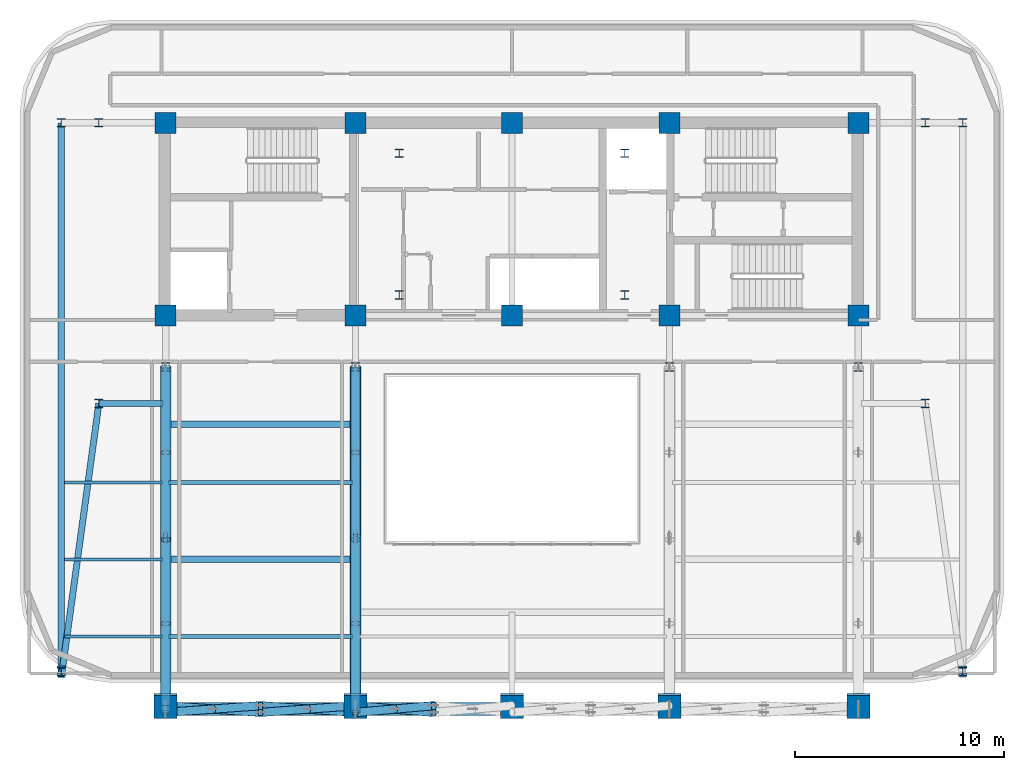
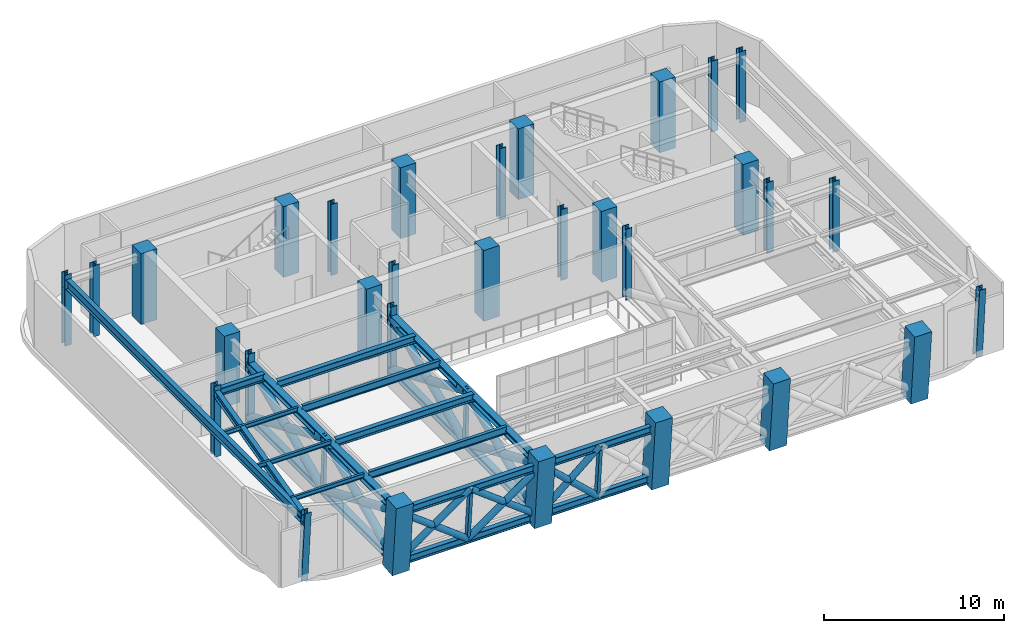
# One storey, part 1 of 12: 33 members, 31 columns, 10 beams.
"""IFC4 building model written with IfcOpenShell, lengths in metres."""

from ifc_helpers import new_model, si_unit, direction, frame, origin, origin_2d, place, context, subcontext, project, spatial, rectangle, hollow_rectangle, hollow_circle, i_section, extrude, material, material_profile, profile_set, type_object, element, save


model = new_model("IFC4")

# Units and contexts
model_context = context("Model", 3, precision=1e-05, world=origin(), true_north=direction((0.0, 1.0)))
body_context = subcontext(model_context, "Body", "Model", "MODEL_VIEW")
ifc_project = project(units=[si_unit("LENGTHUNIT", "METRE"), si_unit("AREAUNIT", "SQUARE_METRE"), si_unit("VOLUMEUNIT", "CUBIC_METRE"), si_unit("PLANEANGLEUNIT", "RADIAN"), si_unit("MASSUNIT", "GRAM", prefix="KILO")], contexts=[model_context])

# Site, building, storey
site_placement = place(None, origin())
site = spatial("IfcSite", under=ifc_project, at=site_placement, CompositionType="ELEMENT")
building_placement = place(site_placement, origin())
building = spatial("IfcBuilding", under=site, at=building_placement, Name="Zarnavel Station Tower", CompositionType="ELEMENT")
storey_placement = place(building_placement, frame((0.0, 0.0, 188.39990234375)))
storey = spatial("IfcBuildingStorey", under=building, at=storey_placement, Name="L51", CompositionType="ELEMENT", Elevation=188.39990234375)

# Columns
ifc_material_1 = material(Name="Steel S355J2", Category="steel")
ifc_material_profile_1 = material_profile(ifc_material_1, i_section(OverallWidth=0.4130859375, OverallDepth=0.4150390625, WebThickness=0.030029296875, FlangeThickness=0.047119140625, FilletRadius=0.014892578125, at=origin_2d()), Name="HD400x347")
ifc_profile_set_1 = profile_set([ifc_material_profile_1], Name="Steel S355J2")
column_type_1 = type_object("IfcColumnType", Name="EC_HD347", PredefinedType="COLUMN", material=ifc_profile_set_1)
column_1_placement = place(storey_placement, frame((7.199951171875, 10.82421875, 0.0), z_axis=(0.0, -0.079902397774, 0.996802692026), x_axis=(1.0, 0.0, 0.0)))
element("IfcColumn", 1, at=column_1_placement, inside=storey, type_object=column_type_1, Name="L51 Raked Wing Column 1", PredefinedType="COLUMN", context=body_context, shape_type="SweptSolid", body=[
    extrude(i_section(OverallWidth=0.4130859375, OverallDepth=0.4150390625, WebThickness=0.030029296875, FlangeThickness=0.047119140625, FilletRadius=0.014892578125, at=origin_2d()), origin(), (0.0, 0.0, 1.0), 4.8154296875),
])
column_2_placement = place(storey_placement, frame((7.199951171875, 37.050048828125, 0.0), z_axis=(0.0, 0.0, 1.0), x_axis=(1.0, 0.0, 0.0)))
element("IfcColumn", 2, at=column_2_placement, inside=storey, type_object=column_type_1, Name="L51 Outer Wing North Column 1", PredefinedType="COLUMN", context=body_context, shape_type="SweptSolid", body=[
    extrude(i_section(OverallWidth=0.4130859375, OverallDepth=0.4150390625, WebThickness=0.030029296875, FlangeThickness=0.047119140625, FilletRadius=0.014892578125, at=origin_2d()), origin(), (0.0, 0.0, 1.0), 4.800048828125),
])
column_3_placement = place(storey_placement, frame((50.39990234375, 10.82421875, 0.0), z_axis=(0.0, -0.079902397774, 0.996802692026), x_axis=(1.0, 0.0, 0.0)))
element("IfcColumn", 3, at=column_3_placement, inside=storey, type_object=column_type_1, Name="L51 Raked Wing Column 2", PredefinedType="COLUMN", context=body_context, shape_type="SweptSolid", body=[
    extrude(i_section(OverallWidth=0.4130859375, OverallDepth=0.4150390625, WebThickness=0.030029296875, FlangeThickness=0.047119140625, FilletRadius=0.014892578125, at=origin_2d()), origin(), (0.0, 0.0, 1.0), 4.8154296875),
])
column_4_placement = place(storey_placement, frame((50.39990234375, 37.050048828125, 0.0), z_axis=(0.0, 0.0, 1.0), x_axis=(1.0, 0.0, 0.0)))
element("IfcColumn", 4, at=column_4_placement, inside=storey, type_object=column_type_1, Name="L51 Outer Wing North Column 2", PredefinedType="COLUMN", context=body_context, shape_type="SweptSolid", body=[
    extrude(i_section(OverallWidth=0.4130859375, OverallDepth=0.4150390625, WebThickness=0.030029296875, FlangeThickness=0.047119140625, FilletRadius=0.014892578125, at=origin_2d()), origin(), (0.0, 0.0, 1.0), 4.800048828125),
])
ifc_material_2 = material(Name="Steel S355J2", Category="steel")
ifc_material_profile_2 = material_profile(ifc_material_2, i_section(OverallWidth=0.4130859375, OverallDepth=0.4150390625, WebThickness=0.030029296875, FlangeThickness=0.047119140625, FilletRadius=0.014892578125, at=origin_2d()), Name="HD400x347")
ifc_profile_set_2 = profile_set([ifc_material_profile_2], Name="Steel S355J2")
column_type_2 = type_object("IfcColumnType", Name="IC_HD347", PredefinedType="COLUMN", material=ifc_profile_set_2)
for number, where, z_axis, x_axis, name in (
    (5, (23.39990234375, 28.800048828125, 0.0), (0.0, 0.0, 1.0), (1.0, 0.0, 0.0), "L51 Mast Spine Column 1"),
    (6, (34.199951171875, 28.800048828125, 0.0), (0.0, 0.0, 1.0), (1.0, 0.0, 0.0), "L51 Mast Spine Column 2"),
    (7, (34.199951171875, 35.60009765625, 0.0), (0.0, 0.0, 1.0), (1.0, 0.0, 0.0), "L51 Mast Spine Column 3"),
    (8, (23.39990234375, 35.60009765625, 0.0), (0.0, 0.0, 1.0), (1.0, 0.0, 0.0), "L51 Mast Spine Column 4"),
    (9, (12.199951171875, 25.35009765625, 0.0), (0.0, 0.0, 1.0), (1.0, 0.0, 0.0), "L51 Inner Spine Column 1"),
    (10, (21.300048828125, 25.35009765625, 0.0), (0.0, 0.0, 1.0), (1.0, 0.0, 0.0), "L51 Inner Spine Column 2"),
    (11, (36.35009765625, 25.35009765625, 0.0), (0.0, 0.0, 1.0), (1.0, 0.0, 0.0), "L51 Inner Spine Column 4"),
    (12, (45.39990234375, 25.35009765625, 0.0), (0.0, 0.0, 1.0), (1.0, 0.0, 0.0), "L51 Inner Spine Column 5"),
    (13, (9.0, 23.60009765625, 0.0), (0.0, 0.0, 1.0), (1.0, 0.0, 0.0), "L51 Inner Wing Spine Column 1-1"),
    (14, (9.0, 37.050048828125, 0.0), (0.0, 0.0, 1.0), (1.0, 0.0, 0.0), "L51 Inner Wing Spine Column 1-2"),
    (15, (48.60009765625, 23.60009765625, 0.0), (0.0, 0.0, 1.0), (1.0, 0.0, 0.0), "L51 Inner Wing Spine Column 2-1"),
    (16, (48.60009765625, 37.050048828125, 0.0), (0.0, 0.0, 1.0), (1.0, 0.0, 0.0), "L51 Inner Wing Spine Column 2-2"),
):
    element("IfcColumn", number, at=place(storey_placement, frame(where, z_axis=z_axis, x_axis=x_axis)), inside=storey, type_object=column_type_2, Name=name, PredefinedType="COLUMN", context=body_context, shape_type="SweptSolid", body=[
        extrude(i_section(OverallWidth=0.4130859375, OverallDepth=0.4150390625, WebThickness=0.030029296875, FlangeThickness=0.047119140625, FilletRadius=0.014892578125, at=origin_2d()), origin(), (0.0, 0.0, 1.0), 4.800048828125),
    ])
ifc_material_3 = material(Name="Concrete C50/60", Category="concrete")
ifc_material_profile_3 = material_profile(ifc_material_3, rectangle(XDim=1.0, YDim=1.0, at=origin_2d()), Name="RC1000x1000")
ifc_profile_set_3 = profile_set([ifc_material_profile_3], Name="Concrete C50/60")
column_type_3 = type_object("IfcColumnType", Name="IC_RC1000", PredefinedType="COLUMN", material=ifc_profile_set_3)
for number, where, z_axis, x_axis, name in (
    (17, (12.199951171875, 27.820068359375, 0.0), (0.0, 0.0, 1.0), (1.0, 0.0, 0.0), "L51 Core Spine Column 1-1"),
    (18, (12.199951171875, 37.050048828125, 0.0), (0.0, 0.0, 1.0), (1.0, 0.0, 0.0), "L51 Core Spine Column 1-2"),
    (19, (21.300048828125, 27.820068359375, 0.0), (0.0, 0.0, 1.0), (1.0, 0.0, 0.0), "L51 Core Spine Column 2-1"),
    (20, (21.300048828125, 37.050048828125, 0.0), (0.0, 0.0, 1.0), (1.0, 0.0, 0.0), "L51 Core Spine Column 2-2"),
    (21, (28.800048828125, 27.820068359375, 0.0), (0.0, 0.0, 1.0), (1.0, 0.0, 0.0), "L51 Core Spine Column 3-1"),
    (22, (28.800048828125, 37.050048828125, 0.0), (0.0, 0.0, 1.0), (1.0, 0.0, 0.0), "L51 Core Spine Column 3-2"),
    (23, (36.35009765625, 27.820068359375, 0.0), (0.0, 0.0, 1.0), (1.0, 0.0, 0.0), "L51 Core Spine Column 4-1"),
    (24, (36.35009765625, 37.050048828125, 0.0), (0.0, 0.0, 1.0), (1.0, 0.0, 0.0), "L51 Core Spine Column 4-2"),
    (25, (45.39990234375, 27.820068359375, 0.0), (0.0, 0.0, 1.0), (1.0, 0.0, 0.0), "L51 Core Spine Column 5-1"),
    (26, (45.39990234375, 37.050048828125, 0.0), (0.0, 0.0, 1.0), (1.0, 0.0, 0.0), "L51 Core Spine Column 5-2"),
):
    element("IfcColumn", number, at=place(storey_placement, frame(where, z_axis=z_axis, x_axis=x_axis)), inside=storey, type_object=column_type_3, Name=name, PredefinedType="COLUMN", context=body_context, shape_type="SweptSolid", body=[
        extrude(rectangle(XDim=1.0, YDim=1.0, at=origin_2d()), origin(), (0.0, 0.0, 1.0), 4.800048828125),
    ])
ifc_material_4 = material(Name="Concrete C50/60", Category="concrete")
ifc_material_profile_4 = material_profile(ifc_material_4, rectangle(XDim=1.10009765625, YDim=1.10009765625, at=origin_2d()), Name="RC1100x1100")
ifc_profile_set_4 = profile_set([ifc_material_profile_4], Name="Concrete C50/60")
column_type_4 = type_object("IfcColumnType", Name="MC_RC1100", PredefinedType="COLUMN", material=ifc_profile_set_4)
for number, where, z_axis, x_axis, name in (
    (27, (12.199951171875, 9.1552734375, 0.0), (0.0, -0.09026627752, 0.995917666849), (1.0, 0.0, 0.0), "L51 Raked South Mega-Column 1"),
    (28, (21.300048828125, 9.1552734375, 0.0), (0.0, -0.09026627752, 0.995917666849), (1.0, 0.0, 0.0), "L51 Raked South Mega-Column 2"),
    (29, (28.800048828125, 9.1552734375, 0.0), (0.0, -0.09026627752, 0.995917666849), (1.0, 0.0, 0.0), "L51 Raked South Mega-Column 3"),
    (30, (36.35009765625, 9.1552734375, 0.0), (0.0, -0.09026627752, 0.995917666849), (1.0, 0.0, 0.0), "L51 Raked South Mega-Column 4"),
    (31, (45.39990234375, 9.1552734375, 0.0), (0.0, -0.09026627752, 0.995917666849), (1.0, 0.0, 0.0), "L51 Raked South Mega-Column 5"),
):
    element("IfcColumn", number, at=place(storey_placement, frame(where, z_axis=z_axis, x_axis=x_axis)), inside=storey, type_object=column_type_4, Name=name, PredefinedType="COLUMN", context=body_context, shape_type="SweptSolid", body=[
        extrude(rectangle(XDim=1.10009765625, YDim=1.10009765625, at=origin_2d()), origin(), (0.0, 0.0, 1.0), 4.81982421875),
    ])

# Members
ifc_material_5 = material(Name="Steel S460M", Category="steel")
ifc_material_profile_5 = material_profile(ifc_material_5, i_section(OverallWidth=0.300048828125, OverallDepth=0.5, WebThickness=0.014404296875, FlangeThickness=0.028076171875, FilletRadius=0.027099609375, at=origin_2d()), Name="HEB500")
ifc_profile_set_5 = profile_set([ifc_material_profile_5], Name="Steel S460M")
member_type_1 = type_object("IfcMemberType", Name="BT_CHORD_HEB500", PredefinedType="CHORD", material=ifc_profile_set_5)
for number, where, z_axis, x_axis, name in (
    (32, (12.199951171875, 9.118896484375, 0.400146484375), (1.0, 0.0, 0.0), (0.0, 1.0, 0.0), "L51 Perimeter Belt Truss Bottom Chord 1"),
    (33, (12.199951171875, 8.79443359375, 3.97998046875), (1.0, 0.0, 0.0), (0.0, 1.0, 0.0), "L51 Perimeter Belt Truss Top Chord 1"),
):
    element("IfcMember", number, at=place(storey_placement, frame(where, z_axis=z_axis, x_axis=x_axis)), inside=storey, type_object=member_type_1, Name=name, PredefinedType="CHORD", context=body_context, shape_type="SweptSolid", body=[
        extrude(i_section(OverallWidth=0.300048828125, OverallDepth=0.5, WebThickness=0.014404296875, FlangeThickness=0.028076171875, FilletRadius=0.027099609375, at=origin_2d()), origin(), (0.0, 0.0, 1.0), 9.10009765625),
    ])
for number, where, z_axis, x_axis, name in (
    (34, (21.300048828125, 9.118896484375, 0.400146484375), (1.0, 0.0, 0.0), (0.0, 1.0, 0.0), "L51 Perimeter Belt Truss Bottom Chord 2"),
    (35, (21.300048828125, 8.79443359375, 3.97998046875), (1.0, 0.0, 0.0), (0.0, 1.0, 0.0), "L51 Perimeter Belt Truss Top Chord 2"),
):
    element("IfcMember", number, at=place(storey_placement, frame(where, z_axis=z_axis, x_axis=x_axis)), inside=storey, type_object=member_type_1, Name=name, PredefinedType="CHORD", context=body_context, shape_type="SweptSolid", body=[
        extrude(i_section(OverallWidth=0.300048828125, OverallDepth=0.5, WebThickness=0.014404296875, FlangeThickness=0.028076171875, FilletRadius=0.027099609375, at=origin_2d()), origin(), (0.0, 0.0, 1.0), 7.5),
    ])
ifc_material_6 = material(Name="Steel S460M", Category="steel")
ifc_material_profile_6 = material_profile(ifc_material_6, hollow_circle(Radius=0.203125, WallThickness=0.01611328125, at=origin_2d()), Name="CHS406.4x16")
ifc_profile_set_6 = profile_set([ifc_material_profile_6], Name="Steel S460M")
member_type_2 = type_object("IfcMemberType", Name="BT_DIAG_CHS406", PredefinedType="BRACE", material=ifc_profile_set_6)
member_1_placement = place(storey_placement, frame((12.199951171875, 9.118896484375, 0.400146484375), z_axis=(0.784684434719, -0.055955658837, 0.617364804758), x_axis=(0.071129140727, 0.997467114916, 0.0)))
element("IfcMember", 36, at=member_1_placement, inside=storey, type_object=member_type_2, Name="L51 Belt Truss Continuous Diagonal A1 1", PredefinedType="BRACE", context=body_context, shape_type="SweptSolid", body=[
    extrude(hollow_circle(Radius=0.203125, WallThickness=0.01611328125, at=origin_2d()), origin(), (0.0, 0.0, 1.0), 5.798583984375),
])
member_2_placement = place(storey_placement, frame((16.75, 9.118896484375, 0.400146484375), z_axis=(-0.784649705334, -0.055914080741, 0.61741271083), x_axis=(0.071079685039, -0.997470640357, 0.0)))
element("IfcMember", 37, at=member_2_placement, inside=storey, type_object=member_type_2, Name="L51 Belt Truss Split Diagonal B1 Lower 1", PredefinedType="BRACE", context=body_context, shape_type="SweptSolid", body=[
    extrude(hollow_circle(Radius=0.203125, WallThickness=0.01611328125, at=origin_2d()), origin(), (0.0, 0.0, 1.0), 2.899169921875),
])
member_3_placement = place(storey_placement, frame((14.47509765625, 8.956787109375, 2.190185546875), z_axis=(-0.784719159347, -0.055997235859, 0.617316896359), x_axis=(0.071178590583, -0.997463587427, 0.0)))
element("IfcMember", 38, at=member_3_placement, inside=storey, type_object=member_type_2, Name="L51 Belt Truss Split Diagonal B1 Upper 1", PredefinedType="BRACE", context=body_context, shape_type="SweptSolid", body=[
    extrude(hollow_circle(Radius=0.203125, WallThickness=0.01611328125, at=origin_2d()), origin(), (0.0, 0.0, 1.0), 2.8994140625),
])
member_4_placement = place(storey_placement, frame((16.75, 9.118896484375, 0.400146484375), z_axis=(0.784684434719, -0.055955658837, 0.617364804758), x_axis=(0.071129140727, 0.997467114916, 0.0)))
element("IfcMember", 39, at=member_4_placement, inside=storey, type_object=member_type_2, Name="L51 Belt Truss Continuous Diagonal A2 1", PredefinedType="BRACE", context=body_context, shape_type="SweptSolid", body=[
    extrude(hollow_circle(Radius=0.203125, WallThickness=0.01611328125, at=origin_2d()), origin(), (0.0, 0.0, 1.0), 5.798583984375),
])
member_5_placement = place(storey_placement, frame((21.300048828125, 9.118896484375, 0.400146484375), z_axis=(-0.784682065335, -0.055910386456, 0.617371917913), x_axis=(0.071072096175, -0.99747118111, 0.0)))
element("IfcMember", 40, at=member_5_placement, inside=storey, type_object=member_type_2, Name="L51 Belt Truss Split Diagonal B2 Lower 1", PredefinedType="BRACE", context=body_context, shape_type="SweptSolid", body=[
    extrude(hollow_circle(Radius=0.203125, WallThickness=0.01611328125, at=origin_2d()), origin(), (0.0, 0.0, 1.0), 2.8994140625),
])
member_6_placement = place(storey_placement, frame((19.02490234375, 8.956787109375, 2.190185546875), z_axis=(-0.784686802718, -0.056000936232, 0.617357689497), x_axis=(0.071186190702, -0.997463045056, 0.0)))
element("IfcMember", 41, at=member_6_placement, inside=storey, type_object=member_type_2, Name="L51 Belt Truss Split Diagonal B2 Upper 1", PredefinedType="BRACE", context=body_context, shape_type="SweptSolid", body=[
    extrude(hollow_circle(Radius=0.203125, WallThickness=0.01611328125, at=origin_2d()), origin(), (0.0, 0.0, 1.0), 2.899169921875),
])
member_7_placement = place(storey_placement, frame((21.300048828125, 9.118896484375, 0.400146484375), z_axis=(0.721915308761, -0.062462594098, 0.689156521638), x_axis=(0.086201374242, 0.996277733907, 0.0)))
element("IfcMember", 42, at=member_7_placement, inside=storey, type_object=member_type_2, Name="L51 Belt Truss Continuous Diagonal A1 2", PredefinedType="BRACE", context=body_context, shape_type="SweptSolid", body=[
    extrude(hollow_circle(Radius=0.203125, WallThickness=0.01611328125, at=origin_2d()), origin(), (0.0, 0.0, 1.0), 5.194580078125),
])
member_8_placement = place(storey_placement, frame((25.050048828125, 9.118896484375, 0.400146484375), z_axis=(-0.721894044506, -0.062413755931, 0.689183220615), x_axis=(0.086136993838, -0.996283302225, 0.0)))
element("IfcMember", 43, at=member_8_placement, inside=storey, type_object=member_type_2, Name="L51 Belt Truss Split Diagonal B1 Lower 2", PredefinedType="BRACE", context=body_context, shape_type="SweptSolid", body=[
    extrude(hollow_circle(Radius=0.203125, WallThickness=0.01611328125, at=origin_2d()), origin(), (0.0, 0.0, 1.0), 2.597412109375),
])
member_9_placement = place(storey_placement, frame((23.175048828125, 8.956787109375, 2.190185546875), z_axis=(-0.721936571704, -0.06251143492, 0.689129818641), x_axis=(0.086265753567, -0.996272161491, 0.0)))
element("IfcMember", 44, at=member_9_placement, inside=storey, type_object=member_type_2, Name="L51 Belt Truss Split Diagonal B1 Upper 2", PredefinedType="BRACE", context=body_context, shape_type="SweptSolid", body=[
    extrude(hollow_circle(Radius=0.203125, WallThickness=0.01611328125, at=origin_2d()), origin(), (0.0, 0.0, 1.0), 2.59716796875),
])
ifc_material_7 = material(Name="Steel S460M", Category="steel")
ifc_material_profile_7 = material_profile(ifc_material_7, hollow_rectangle(XDim=0.199951171875, YDim=0.300048828125, WallThickness=0.012451171875, at=origin_2d()), Name="RHS300x200x12.5")
ifc_profile_set_7 = profile_set([ifc_material_profile_7], Name="Steel S460M")
member_type_3 = type_object("IfcMemberType", Name="BT_POST_RHS300", PredefinedType="POST", material=ifc_profile_set_7)
for number, where, z_axis, x_axis, name in (
    (45, (12.199951171875, 17.234619140625, 0.400146484375), (0.0, -0.045305678131, 0.998973170575), (1.0, 0.0, 0.0), "L51 Outrigger Mid-Span Post 1"),
    (46, (21.300048828125, 17.234619140625, 0.400146484375), (0.0, -0.045305678131, 0.998973170575), (1.0, 0.0, 0.0), "L51 Outrigger Mid-Span Post 2"),
):
    element("IfcMember", number, at=place(storey_placement, frame(where, z_axis=z_axis, x_axis=x_axis)), inside=storey, type_object=member_type_3, Name=name, PredefinedType="POST", context=body_context, shape_type="SweptSolid", body=[
        extrude(hollow_rectangle(XDim=0.199951171875, YDim=0.300048828125, WallThickness=0.012451171875, at=origin_2d()), origin(), (0.0, 0.0, 1.0), 3.58349609375),
    ])
for number, where, z_axis, x_axis, name in (
    (47, (16.75, 9.118896484375, 0.400146484375), (0.0, -0.0902662878, 0.995917665918), (1.0, 0.0, 0.0), "L51 Belt Truss Mid-Bay Post 1"),
    (48, (25.050048828125, 9.118896484375, 0.400146484375), (0.0, -0.0902662878, 0.995917665918), (1.0, 0.0, 0.0), "L51 Belt Truss Mid-Bay Post 2"),
):
    element("IfcMember", number, at=place(storey_placement, frame(where, z_axis=z_axis, x_axis=x_axis)), inside=storey, type_object=member_type_3, Name=name, PredefinedType="POST", context=body_context, shape_type="SweptSolid", body=[
        extrude(hollow_rectangle(XDim=0.199951171875, YDim=0.300048828125, WallThickness=0.012451171875, at=origin_2d()), origin(), (0.0, 0.0, 1.0), 3.594482421875),
    ])

# Beams
ifc_material_8 = material(Name="Steel S355J2", Category="steel")
ifc_material_profile_8 = material_profile(ifc_material_8, i_section(OverallWidth=0.300048828125, OverallDepth=0.489990234375, WebThickness=0.011962890625, FlangeThickness=0.02294921875, FilletRadius=0.027099609375, at=origin_2d()), Name="HEA500")
ifc_profile_set_8 = profile_set([ifc_material_profile_8], Name="Steel S355J2")
beam_type_1 = type_object("IfcBeamType", Name="FB_HEA500", PredefinedType="BEAM", material=ifc_profile_set_8)
for number, where, z_axis, x_axis, name in (
    (49, (12.344970703125, 16.12939453125, 4.235107421875), (1.0, 0.0, 0.0), (0.0, 1.0, 0.0), "L51 West Bay Beam 2"),
    (50, (12.344970703125, 22.60986328125, 4.235107421875), (1.0, 0.0, 0.0), (0.0, 1.0, 0.0), "L51 West Bay Beam 4"),
):
    element("IfcBeam", number, at=place(storey_placement, frame(where, z_axis=z_axis, x_axis=x_axis)), inside=storey, type_object=beam_type_1, Name=name, PredefinedType="BEAM", context=body_context, shape_type="SweptSolid", body=[
        extrude(i_section(OverallWidth=0.300048828125, OverallDepth=0.489990234375, WebThickness=0.011962890625, FlangeThickness=0.02294921875, FilletRadius=0.027099609375, at=origin_2d()), origin(), (0.0, 0.0, 1.0), 8.81005859375),
    ])
ifc_material_9 = material(Name="Steel S355J2", Category="steel")
ifc_material_profile_9 = material_profile(ifc_material_9, i_section(OverallWidth=0.199951171875, OverallDepth=0.5, WebThickness=0.01025390625, FlangeThickness=0.01611328125, FilletRadius=0.02099609375, at=origin_2d()), Name="IPE500")
ifc_profile_set_9 = profile_set([ifc_material_profile_9], Name="Steel S355J2")
beam_type_2 = type_object("IfcBeamType", Name="FB_IPE500", PredefinedType="BEAM", material=ifc_profile_set_9)
for number, where, z_axis, x_axis, name in (
    (51, (12.344970703125, 12.439453125, 4.22998046875), (1.0, 0.0, 0.0), (0.0, 1.0, 0.0), "L51 West Bay Beam 1"),
    (52, (12.344970703125, 19.819580078125, 4.22998046875), (1.0, 0.0, 0.0), (0.0, 1.0, 0.0), "L51 West Bay Beam 3"),
):
    element("IfcBeam", number, at=place(storey_placement, frame(where, z_axis=z_axis, x_axis=x_axis)), inside=storey, type_object=beam_type_2, Name=name, PredefinedType="BEAM", context=body_context, shape_type="SweptSolid", body=[
        extrude(i_section(OverallWidth=0.199951171875, OverallDepth=0.5, WebThickness=0.01025390625, FlangeThickness=0.01611328125, FilletRadius=0.02099609375, at=origin_2d()), origin(), (0.0, 0.0, 1.0), 8.81005859375),
    ])
ifc_material_10 = material(Name="Steel S355J2", Category="steel")
ifc_material_profile_10 = material_profile(ifc_material_10, i_section(OverallWidth=0.300048828125, OverallDepth=0.5, WebThickness=0.014404296875, FlangeThickness=0.028076171875, FilletRadius=0.027099609375, at=origin_2d()), Name="HEB500")
ifc_profile_set_10 = profile_set([ifc_material_profile_10], Name="Steel S355J2")
beam_type_3 = type_object("IfcBeamType", Name="FG_HEB500", PredefinedType="USERDEFINED", material=ifc_profile_set_10)
beam_1_placement = place(storey_placement, frame((7.199951171875, 10.465087890625, 4.22998046875), z_axis=(0.135773048199, 0.990739965573, 0.0), x_axis=(-0.990739965573, 0.135773048199, 0.0)))
element("IfcBeam", 53, at=beam_1_placement, inside=storey, type_object=beam_type_3, Name="L51 West Wing South Tie 1", ObjectType="GIRDER", PredefinedType="USERDEFINED", context=body_context, shape_type="SweptSolid", body=[
    extrude(i_section(OverallWidth=0.300048828125, OverallDepth=0.5, WebThickness=0.014404296875, FlangeThickness=0.028076171875, FilletRadius=0.027099609375, at=origin_2d()), origin(), (0.0, 0.0, 1.0), 13.2578125),
])
beam_2_placement = place(storey_placement, frame((9.0, 23.60009765625, 4.22998046875), z_axis=(1.0, 0.0, 0.0), x_axis=(0.0, 1.0, 0.0)))
element("IfcBeam", 54, at=beam_2_placement, inside=storey, type_object=beam_type_3, Name="L51 West Wing South Tie 2", ObjectType="GIRDER", PredefinedType="USERDEFINED", context=body_context, shape_type="SweptSolid", body=[
    extrude(i_section(OverallWidth=0.300048828125, OverallDepth=0.5, WebThickness=0.014404296875, FlangeThickness=0.028076171875, FilletRadius=0.027099609375, at=origin_2d()), origin(), (0.0, 0.0, 1.0), 3.054931640625),
])
ifc_material_11 = material(Name="Steel S355J2", Category="steel")
ifc_material_profile_11 = material_profile(ifc_material_11, i_section(OverallWidth=0.300048828125, OverallDepth=0.64990234375, WebThickness=0.01611328125, FlangeThickness=0.031005859375, FilletRadius=0.027099609375, at=origin_2d()), Name="HEB650")
ifc_profile_set_11 = profile_set([ifc_material_profile_11], Name="Steel S355J2")
beam_type_4 = type_object("IfcBeamType", Name="FG_HEB650", PredefinedType="USERDEFINED", material=ifc_profile_set_11)
beam_3_placement = place(storey_placement, frame((7.199951171875, 10.465087890625, 4.155029296875), z_axis=(0.0, 1.0, 0.0), x_axis=(-1.0, 0.0, 0.0)))
element("IfcBeam", 55, at=beam_3_placement, inside=storey, type_object=beam_type_4, Name="L51 Wing NS Girder 1", ObjectType="GIRDER", PredefinedType="USERDEFINED", context=body_context, shape_type="SweptSolid", body=[
    extrude(i_section(OverallWidth=0.300048828125, OverallDepth=0.64990234375, WebThickness=0.01611328125, FlangeThickness=0.031005859375, FilletRadius=0.027099609375, at=origin_2d()), origin(), (0.0, 0.0, 1.0), 26.5849609375),
])
ifc_material_12 = material(Name="Steel S355J2", Category="steel")
ifc_material_profile_12 = material_profile(ifc_material_12, i_section(OverallWidth=0.14990234375, OverallDepth=0.300048828125, WebThickness=0.007080078125, FlangeThickness=0.0107421875, FilletRadius=0.014892578125, at=origin_2d()), Name="IPE300")
ifc_profile_set_12 = profile_set([ifc_material_profile_12], Name="Steel S355J2")
beam_type_5 = type_object("IfcBeamType", Name="FJ_IPE300", PredefinedType="JOIST", material=ifc_profile_set_12)
for number, where, z_axis, x_axis, name in (
    (56, (7.344970703125, 12.439453125, 4.330078125), (1.0, 0.0, 0.0), (0.0, 1.0, 0.0), "L51 West Wing Joist 1"),
    (57, (7.344970703125, 16.12939453125, 4.330078125), (1.0, 0.0, 0.0), (0.0, 1.0, 0.0), "L51 West Wing Joist 2"),
    (58, (7.344970703125, 19.819580078125, 4.330078125), (1.0, 0.0, 0.0), (0.0, 1.0, 0.0), "L51 West Wing Joist 3"),
):
    element("IfcBeam", number, at=place(storey_placement, frame(where, z_axis=z_axis, x_axis=x_axis)), inside=storey, type_object=beam_type_5, Name=name, PredefinedType="JOIST", context=body_context, shape_type="SweptSolid", body=[
        extrude(i_section(OverallWidth=0.14990234375, OverallDepth=0.300048828125, WebThickness=0.007080078125, FlangeThickness=0.0107421875, FilletRadius=0.014892578125, at=origin_2d()), origin(), (0.0, 0.0, 1.0), 4.7099609375),
    ])

# Members
ifc_material_13 = material(Name="Steel S460M", Category="steel")
ifc_material_profile_13 = material_profile(ifc_material_13, i_section(OverallWidth=0.41796875, OverallDepth=0.431884765625, WebThickness=0.034912109375, FlangeThickness=0.055908203125, FilletRadius=0.014892578125, at=origin_2d()), Name="HD400x421")
ifc_profile_set_13 = profile_set([ifc_material_profile_13], Name="Steel S460M")
member_type_4 = type_object("IfcMemberType", Name="OT_CHORD_HD421", PredefinedType="CHORD", material=ifc_profile_set_13)
member_10_placement = place(storey_placement, frame((12.199951171875, 9.118896484375, 0.400146484375), z_axis=(0.0, 1.0, 0.0), x_axis=(-1.0, 0.0, 0.0)))
element("IfcMember", 59, at=member_10_placement, inside=storey, type_object=member_type_4, Name="L51 Outrigger Bottom Chord 1", PredefinedType="CHORD", context=body_context, shape_type="SweptSolid", body=[
    extrude(i_section(OverallWidth=0.41796875, OverallDepth=0.431884765625, WebThickness=0.034912109375, FlangeThickness=0.055908203125, FilletRadius=0.014892578125, at=origin_2d()), origin(), (0.0, 0.0, 1.0), 16.231201171875),
])
member_11_placement = place(storey_placement, frame((12.199951171875, 8.79443359375, 3.97998046875), z_axis=(0.0, 1.0, 0.0), x_axis=(-1.0, 0.0, 0.0)))
element("IfcMember", 60, at=member_11_placement, inside=storey, type_object=member_type_4, Name="L51 Outrigger Top Chord 1", PredefinedType="CHORD", context=body_context, shape_type="SweptSolid", body=[
    extrude(i_section(OverallWidth=0.41796875, OverallDepth=0.431884765625, WebThickness=0.034912109375, FlangeThickness=0.055908203125, FilletRadius=0.014892578125, at=origin_2d()), origin(), (0.0, 0.0, 1.0), 16.5556640625),
])
member_12_placement = place(storey_placement, frame((21.300048828125, 9.118896484375, 0.400146484375), z_axis=(0.0, 1.0, 0.0), x_axis=(-1.0, 0.0, 0.0)))
element("IfcMember", 61, at=member_12_placement, inside=storey, type_object=member_type_4, Name="L51 Outrigger Bottom Chord 2", PredefinedType="CHORD", context=body_context, shape_type="SweptSolid", body=[
    extrude(i_section(OverallWidth=0.41796875, OverallDepth=0.431884765625, WebThickness=0.034912109375, FlangeThickness=0.055908203125, FilletRadius=0.014892578125, at=origin_2d()), origin(), (0.0, 0.0, 1.0), 16.231201171875),
])
member_13_placement = place(storey_placement, frame((21.300048828125, 8.79443359375, 3.97998046875), z_axis=(0.0, 1.0, 0.0), x_axis=(-1.0, 0.0, 0.0)))
element("IfcMember", 62, at=member_13_placement, inside=storey, type_object=member_type_4, Name="L51 Outrigger Top Chord 2", PredefinedType="CHORD", context=body_context, shape_type="SweptSolid", body=[
    extrude(i_section(OverallWidth=0.41796875, OverallDepth=0.431884765625, WebThickness=0.034912109375, FlangeThickness=0.055908203125, FilletRadius=0.014892578125, at=origin_2d()), origin(), (0.0, 0.0, 1.0), 16.5556640625),
])
ifc_material_14 = material(Name="Steel S460M", Category="steel")
ifc_material_profile_14 = material_profile(ifc_material_14, hollow_circle(Radius=0.25390625, WallThickness=0.02001953125, at=origin_2d()), Name="CHS508x20")
ifc_profile_set_14 = profile_set([ifc_material_profile_14], Name="Steel S460M")
member_type_5 = type_object("IfcMemberType", Name="OT_DIAG_CHS508", PredefinedType="STRUT", material=ifc_profile_set_14)
member_14_placement = place(storey_placement, frame((12.199951171875, 25.35009765625, 0.400146484375), z_axis=(0.0, -0.917847706843, 0.396932723572), x_axis=(1.0, 0.0, 0.0)))
element("IfcMember", 63, at=member_14_placement, inside=storey, type_object=member_type_5, Name="L51 Outrigger Continuous Inner Diagonal 1", PredefinedType="STRUT", context=body_context, shape_type="SweptSolid", body=[
    extrude(hollow_circle(Radius=0.25390625, WallThickness=0.02001953125, at=origin_2d()), origin(), (0.0, 0.0, 1.0), 9.018798828125),
])
member_15_placement = place(storey_placement, frame((12.199951171875, 17.234619140625, 0.400146484375), z_axis=(0.0, 0.913417374694, 0.407024200271), x_axis=(-1.0, 0.0, 0.0)))
element("IfcMember", 64, at=member_15_placement, inside=storey, type_object=member_type_5, Name="L51 Outrigger Split Inner Strut Lower 1", PredefinedType="STRUT", context=body_context, shape_type="SweptSolid", body=[
    extrude(hollow_circle(Radius=0.25390625, WallThickness=0.02001953125, at=origin_2d()), origin(), (0.0, 0.0, 1.0), 4.39794921875),
])
member_16_placement = place(storey_placement, frame((12.199951171875, 21.251708984375, 2.190185546875), z_axis=(0.0, 0.916424002701, 0.40020875462), x_axis=(-1.0, 0.0, 0.0)))
element("IfcMember", 65, at=member_16_placement, inside=storey, type_object=member_type_5, Name="L51 Outrigger Split Inner Strut Upper 1", PredefinedType="STRUT", context=body_context, shape_type="SweptSolid", body=[
    extrude(hollow_circle(Radius=0.25390625, WallThickness=0.02001953125, at=origin_2d()), origin(), (0.0, 0.0, 1.0), 4.47216796875),
])
member_17_placement = place(storey_placement, frame((12.199951171875, 17.234619140625, 0.400146484375), z_axis=(0.0, -0.920615143346, 0.390471199759), x_axis=(1.0, 0.0, 0.0)))
element("IfcMember", 66, at=member_17_placement, inside=storey, type_object=member_type_5, Name="L51 Outrigger Continuous Outer Diagonal 1", PredefinedType="STRUT", context=body_context, shape_type="SweptSolid", body=[
    extrude(hollow_circle(Radius=0.25390625, WallThickness=0.02001953125, at=origin_2d()), origin(), (0.0, 0.0, 1.0), 9.16796875),
])
member_18_placement = place(storey_placement, frame((12.199951171875, 9.118896484375, 0.400146484375), z_axis=(0.0, 0.910285247028, 0.413981604715), x_axis=(-1.0, 0.0, 0.0)))
element("IfcMember", 67, at=member_18_placement, inside=storey, type_object=member_type_5, Name="L51 Outrigger Split Outer Strut Lower 1", PredefinedType="STRUT", context=body_context, shape_type="SweptSolid", body=[
    extrude(hollow_circle(Radius=0.25390625, WallThickness=0.02001953125, at=origin_2d()), origin(), (0.0, 0.0, 1.0), 4.323974609375),
])
member_19_placement = place(storey_placement, frame((12.199951171875, 13.054931640625, 2.190185546875), z_axis=(0.0, 0.913447207168, 0.406957245564), x_axis=(-1.0, 0.0, 0.0)))
element("IfcMember", 68, at=member_19_placement, inside=storey, type_object=member_type_5, Name="L51 Outrigger Split Outer Strut Upper 1", PredefinedType="STRUT", context=body_context, shape_type="SweptSolid", body=[
    extrude(hollow_circle(Radius=0.25390625, WallThickness=0.02001953125, at=origin_2d()), origin(), (0.0, 0.0, 1.0), 4.39794921875),
])
member_20_placement = place(storey_placement, frame((21.300048828125, 25.35009765625, 0.400146484375), z_axis=(0.0, -0.917847706843, 0.396932723572), x_axis=(1.0, 0.0, 0.0)))
element("IfcMember", 69, at=member_20_placement, inside=storey, type_object=member_type_5, Name="L51 Outrigger Continuous Inner Diagonal 2", PredefinedType="STRUT", context=body_context, shape_type="SweptSolid", body=[
    extrude(hollow_circle(Radius=0.25390625, WallThickness=0.02001953125, at=origin_2d()), origin(), (0.0, 0.0, 1.0), 9.018798828125),
])
member_21_placement = place(storey_placement, frame((21.300048828125, 17.234619140625, 0.400146484375), z_axis=(0.0, 0.913417374694, 0.407024200271), x_axis=(-1.0, 0.0, 0.0)))
element("IfcMember", 70, at=member_21_placement, inside=storey, type_object=member_type_5, Name="L51 Outrigger Split Inner Strut Lower 2", PredefinedType="STRUT", context=body_context, shape_type="SweptSolid", body=[
    extrude(hollow_circle(Radius=0.25390625, WallThickness=0.02001953125, at=origin_2d()), origin(), (0.0, 0.0, 1.0), 4.39794921875),
])
member_22_placement = place(storey_placement, frame((21.300048828125, 21.251708984375, 2.190185546875), z_axis=(0.0, 0.916424002701, 0.40020875462), x_axis=(-1.0, 0.0, 0.0)))
element("IfcMember", 71, at=member_22_placement, inside=storey, type_object=member_type_5, Name="L51 Outrigger Split Inner Strut Upper 2", PredefinedType="STRUT", context=body_context, shape_type="SweptSolid", body=[
    extrude(hollow_circle(Radius=0.25390625, WallThickness=0.02001953125, at=origin_2d()), origin(), (0.0, 0.0, 1.0), 4.47216796875),
])
member_23_placement = place(storey_placement, frame((21.300048828125, 17.234619140625, 0.400146484375), z_axis=(0.0, -0.920615143346, 0.390471199759), x_axis=(1.0, 0.0, 0.0)))
element("IfcMember", 72, at=member_23_placement, inside=storey, type_object=member_type_5, Name="L51 Outrigger Continuous Outer Diagonal 2", PredefinedType="STRUT", context=body_context, shape_type="SweptSolid", body=[
    extrude(hollow_circle(Radius=0.25390625, WallThickness=0.02001953125, at=origin_2d()), origin(), (0.0, 0.0, 1.0), 9.16796875),
])
member_24_placement = place(storey_placement, frame((21.300048828125, 9.118896484375, 0.400146484375), z_axis=(0.0, 0.910285247028, 0.413981604715), x_axis=(-1.0, 0.0, 0.0)))
element("IfcMember", 73, at=member_24_placement, inside=storey, type_object=member_type_5, Name="L51 Outrigger Split Outer Strut Lower 2", PredefinedType="STRUT", context=body_context, shape_type="SweptSolid", body=[
    extrude(hollow_circle(Radius=0.25390625, WallThickness=0.02001953125, at=origin_2d()), origin(), (0.0, 0.0, 1.0), 4.323974609375),
])
member_25_placement = place(storey_placement, frame((21.300048828125, 13.054931640625, 2.190185546875), z_axis=(0.0, 0.913447207168, 0.406957245564), x_axis=(-1.0, 0.0, 0.0)))
element("IfcMember", 74, at=member_25_placement, inside=storey, type_object=member_type_5, Name="L51 Outrigger Split Outer Strut Upper 2", PredefinedType="STRUT", context=body_context, shape_type="SweptSolid", body=[
    extrude(hollow_circle(Radius=0.25390625, WallThickness=0.02001953125, at=origin_2d()), origin(), (0.0, 0.0, 1.0), 4.39794921875),
])

save(model, "model.ifc")
